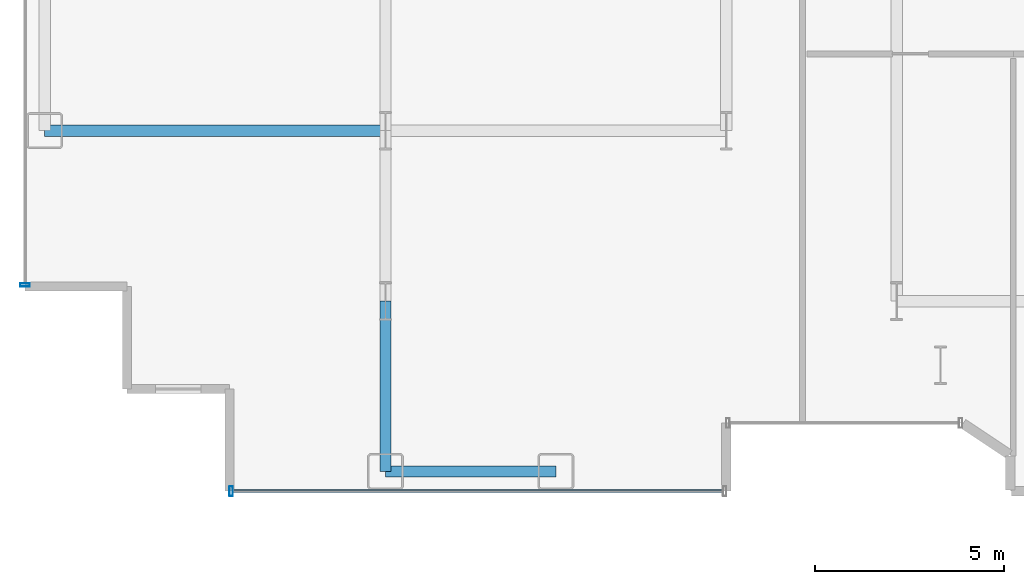
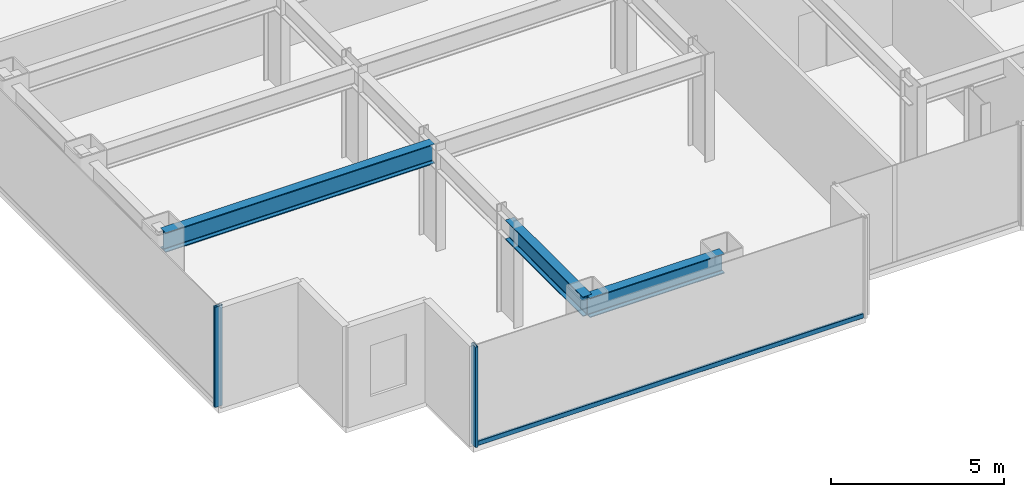
# One storey, part 2 of 26: 3 beams, 3 members, 2 elements without a shape of their own.
"""IFC4 building model written with IfcOpenShell, lengths in metres."""

from ifc_helpers import new_model, si_unit, direction, frame, origin, origin_2d, place, context, subcontext, project, spatial, hollow_rectangle, i_section, extrude, source, transform, mapped, material, layer, layer_set, material_profile, profile_set, type_object, element, aggregate, save


model = new_model("IFC4")

# Units and contexts
model_context = context("Model", 3, precision=1e-05, world=origin(), true_north=direction((0.0, 1.0)))
body_context = subcontext(model_context, "Body", "Model", "MODEL_VIEW")
ifc_project = project(units=[si_unit("LENGTHUNIT", "METRE"), si_unit("AREAUNIT", "SQUARE_METRE"), si_unit("VOLUMEUNIT", "CUBIC_METRE"), si_unit("PLANEANGLEUNIT", "RADIAN"), si_unit("MASSUNIT", "GRAM", prefix="KILO")], contexts=[model_context])

# Site, building, storey
site_placement = place(None, origin())
site = spatial("IfcSite", under=ifc_project, at=site_placement, CompositionType="ELEMENT")
building_placement = place(site_placement, origin())
building = spatial("IfcBuilding", under=site, at=building_placement, Name="Nefas-Gora Pilgrimage Tower", CompositionType="ELEMENT")
storey_placement = place(building_placement, frame((0.0, 0.0, 106.0)))
storey = spatial("IfcBuildingStorey", under=building, at=storey_placement, Name="L25", CompositionType="ELEMENT", Elevation=106.0)

# Beams
ifc_material_1 = material(Name="Steel S355", Category="steel")
ifc_material_profile_1 = material_profile(ifc_material_1, i_section(OverallWidth=0.300048828125, OverallDepth=0.699951171875, WebThickness=0.01708984375, FlangeThickness=0.031982421875, FilletRadius=0.027099609375, at=origin_2d()), Name="HEB 700")
ifc_profile_set_1 = profile_set([ifc_material_profile_1], Name="Steel S355")
beam_type_1 = type_object("IfcBeamType", Name="BM-SPN-HEB600", PredefinedType="SPANDREL", material=ifc_profile_set_1)
shared_shape_1 = source(origin(), body_context, "Body", "SweptSolid", [
    extrude(i_section(OverallWidth=0.300048828125, OverallDepth=0.699951171875, WebThickness=0.01708984375, FlangeThickness=0.031982421875, FilletRadius=0.027099609375, at=origin_2d()), origin(), (0.0, 0.0, 1.0), 4.5),
])
beam_1_placement = place(storey_placement, frame((-24.75, -22.5, 3.199951171875), z_axis=(1.0, 0.0, 0.0), x_axis=(0.0, 1.0, 0.0)))
element("IfcBeam", 1, at=beam_1_placement, inside=storey, type_object=beam_type_1, Name="L25 SP-01 beam", PredefinedType="SPANDREL", context=body_context, shape_type="MappedRepresentation", body=[
    mapped(shared_shape_1, transform((0.0, 0.0, 0.0), x_axis=(1.0, 0.0, 0.0), y_axis=(0.0, 1.0, 0.0), z_axis=(0.0, 0.0, 1.0), scale=1.0)),
])
ifc_material_profile_2 = material_profile(ifc_material_1, i_section(OverallWidth=0.300048828125, OverallDepth=0.699951171875, WebThickness=0.01708984375, FlangeThickness=0.031982421875, FilletRadius=0.027099609375, at=origin_2d()), Name="HEB 700")
ifc_profile_set_2 = profile_set([ifc_material_profile_2], Name="Steel S355")
beam_type_2 = type_object("IfcBeamType", Name="BM-GIR-HEB700", PredefinedType="BEAM", material=ifc_profile_set_2)
shared_shape_2 = source(origin(), body_context, "Body", "SweptSolid", [
    extrude(i_section(OverallWidth=0.300048828125, OverallDepth=0.699951171875, WebThickness=0.01708984375, FlangeThickness=0.031982421875, FilletRadius=0.027099609375, at=origin_2d()), origin(), (0.0, 0.0, 1.0), 9.0),
])
beam_2_placement = place(storey_placement, frame((-33.75, -13.5, 3.199951171875), z_axis=(1.0, 0.0, 0.0), x_axis=(0.0, 1.0, 0.0)))
element("IfcBeam", 2, at=beam_2_placement, inside=storey, type_object=beam_type_2, Name="L25 G-02 beam", PredefinedType="BEAM", context=body_context, shape_type="MappedRepresentation", body=[
    mapped(shared_shape_2, transform((0.0, 0.0, 0.0), x_axis=(1.0, 0.0, 0.0), y_axis=(0.0, 1.0, 0.0), z_axis=(0.0, 0.0, 1.0), scale=1.0)),
])
shared_shape_3 = source(origin(), body_context, "Body", "SweptSolid", [
    extrude(i_section(OverallWidth=0.300048828125, OverallDepth=0.699951171875, WebThickness=0.01708984375, FlangeThickness=0.031982421875, FilletRadius=0.027099609375, at=origin_2d()), origin(), (0.0, 0.0, 1.0), 4.5),
])
beam_3_placement = place(storey_placement, frame((-24.75, -22.5, 3.199951171875), z_axis=(0.0, 1.0, 0.0), x_axis=(-1.0, 0.0, 0.0)))
element("IfcBeam", 3, at=beam_3_placement, inside=storey, type_object=beam_type_2, Name="L25 G-02 beam", PredefinedType="BEAM", context=body_context, shape_type="MappedRepresentation", body=[
    mapped(shared_shape_3, transform((0.0, 0.0, 0.0), x_axis=(1.0, 0.0, 0.0), y_axis=(0.0, 1.0, 0.0), z_axis=(0.0, 0.0, 1.0), scale=1.0)),
])

# Curtain wall, member
ifc_material_2 = material(Name="Dark ceramic-fritted solar-control aluminium-glass curtain wall", Category="aluminium")
ifc_layer = layer(ifc_material_2, 0.219970703125)
ifc_layer_set = layer_set([ifc_layer], Name="Dark ceramic-fritted solar-control aluminium-glass curtain wall")
curtain_wall_type = type_object("IfcCurtainWallType", Name="CW-SYS-2", PredefinedType="NOTDEFINED", material=ifc_layer_set)
curtain_wall_1_placement = place(storey_placement, origin())
curtain_wall_1 = element("IfcCurtainWall", 4, at=curtain_wall_1_placement, inside=storey, type_object=curtain_wall_type, Name="L25 Unitised Curtain Wall CW2", PredefinedType="NOTDEFINED")
ifc_material_3 = material(Name="Anodised architectural aluminium", Category="aluminium")
ifc_material_profile_3 = material_profile(ifc_material_3, hollow_rectangle(XDim=0.090087890625, YDim=0.260009765625, WallThickness=0.006103515625, InnerFilletRadius=0.006103515625, OuterFilletRadius=0.011962890625, at=origin_2d()), Name="ALU MULLION 90x260")
ifc_profile_set_3 = profile_set([ifc_material_profile_3], Name="Anodised architectural aluminium")
member_type_1 = type_object("IfcMemberType", Name="CWM-MUL-2", PredefinedType="MULLION", material=ifc_profile_set_3)
shared_shape_4 = source(origin(), body_context, "Body", "SweptSolid", [
    extrude(hollow_rectangle(XDim=0.090087890625, YDim=0.260009765625, WallThickness=0.006103515625, InnerFilletRadius=0.006103515625, OuterFilletRadius=0.011962890625, at=origin_2d()), origin(), (0.0, 0.0, 1.0), 3.550048828125),
])
member_1_placement = place(storey_placement, frame((-34.27001953125, -17.574951171875, 0.0), z_axis=(0.0, 0.0, 1.0), x_axis=(0.0, -1.0, 0.0)))
member_1 = element("IfcMember", 5, at=member_1_placement, type_object=member_type_1, Name="CW2 Mullion 2", PredefinedType="MULLION", context=body_context, shape_type="MappedRepresentation", body=[
    mapped(shared_shape_4, transform((0.0, 0.0, 0.0), x_axis=(1.0, 0.0, 0.0), y_axis=(0.0, 1.0, 0.0), z_axis=(0.0, 0.0, 1.0), scale=1.0)),
])
aggregate(curtain_wall_1, [member_1])

# Curtain wall, members
curtain_wall_2_placement = place(storey_placement, origin())
curtain_wall_2 = element("IfcCurtainWall", 6, at=curtain_wall_2_placement, inside=storey, type_object=curtain_wall_type, Name="L25 Unitised Curtain Wall CW2", PredefinedType="NOTDEFINED")
member_2_placement = place(storey_placement, frame((-28.824951171875, -23.02001953125, 0.0), z_axis=(0.0, 0.0, 1.0), x_axis=(1.0, 0.0, 0.0)))
member_2 = element("IfcMember", 7, at=member_2_placement, type_object=member_type_1, Name="CW2 Mullion 1", PredefinedType="MULLION", context=body_context, shape_type="MappedRepresentation", body=[
    mapped(shared_shape_4, transform((0.0, 0.0, 0.0), x_axis=(1.0, 0.0, 0.0), y_axis=(0.0, 1.0, 0.0), z_axis=(0.0, 0.0, 1.0), scale=1.0)),
])
ifc_material_profile_4 = material_profile(ifc_material_3, hollow_rectangle(XDim=0.080078125, YDim=0.159912109375, WallThickness=0.00439453125, InnerFilletRadius=0.00439453125, OuterFilletRadius=0.009033203125, at=origin_2d()), Name="ALU TRANSOM 80x160")
ifc_profile_set_4 = profile_set([ifc_material_profile_4], Name="Anodised architectural aluminium")
member_type_2 = type_object("IfcMemberType", Name="CWM-TRN-2", PredefinedType="USERDEFINED", material=ifc_profile_set_4)
shared_shape_5 = source(origin(), body_context, "Body", "SweptSolid", [
    extrude(hollow_rectangle(XDim=0.080078125, YDim=0.159912109375, WallThickness=0.00439453125, InnerFilletRadius=0.00439453125, OuterFilletRadius=0.009033203125, at=origin_2d()), origin(), (0.0, 0.0, 1.0), 12.93994140625),
])
member_3_placement = place(storey_placement, frame((-28.780029296875, -23.02001953125, 0.050048828125), z_axis=(1.0, 0.0, 0.0), x_axis=(0.0, 1.0, 0.0)))
member_3 = element("IfcMember", 8, at=member_3_placement, type_object=member_type_2, Name="CW2 Spandrel Transom", ObjectType="TRANSOM", PredefinedType="USERDEFINED", context=body_context, shape_type="MappedRepresentation", body=[
    mapped(shared_shape_5, transform((0.0, 0.0, 0.0), x_axis=(1.0, 0.0, 0.0), y_axis=(0.0, 1.0, 0.0), z_axis=(0.0, 0.0, 1.0), scale=1.0)),
])
aggregate(curtain_wall_2, [member_2, member_3])

save(model, "model.ifc")
